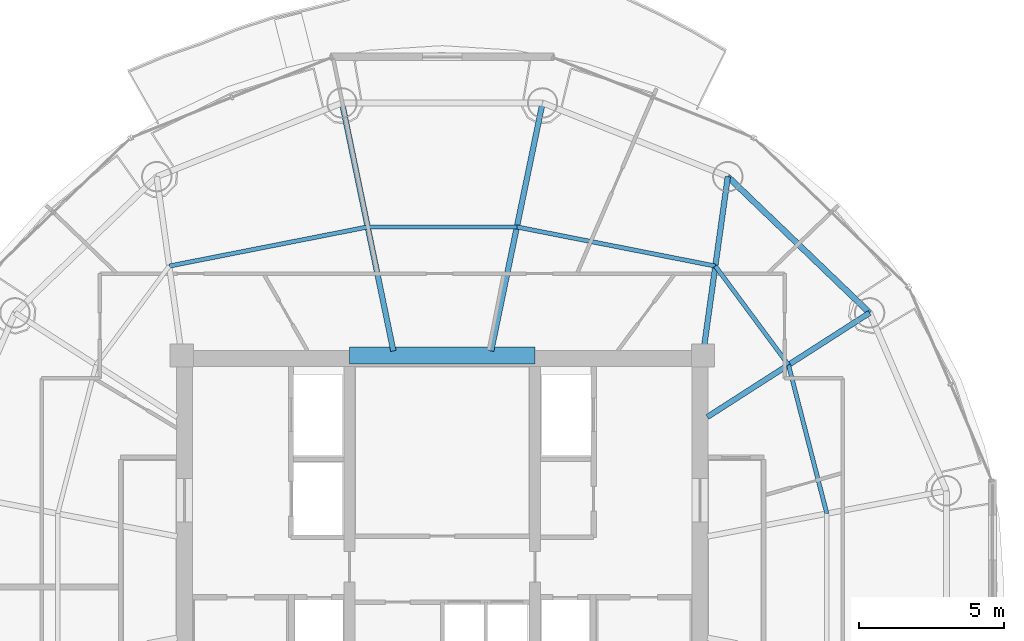
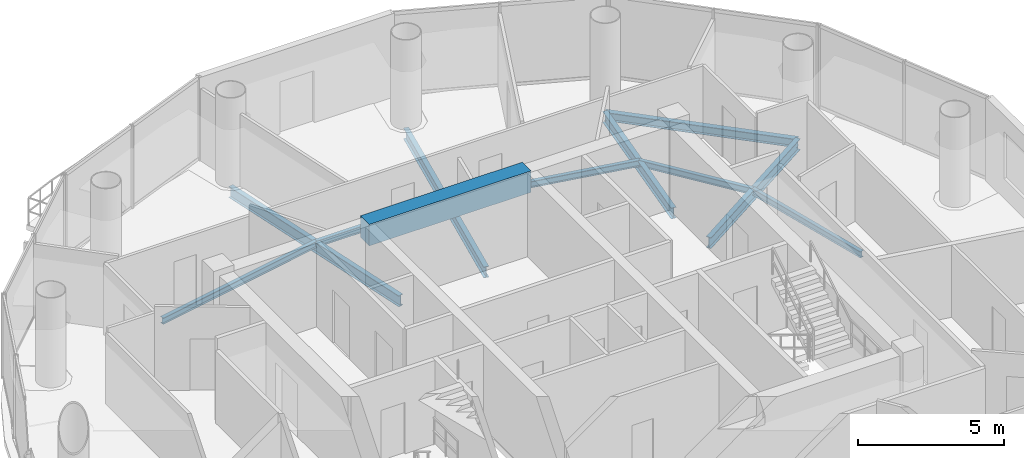
# One storey, part 9 of 23: 11 beams.
"""IFC4 building model written with IfcOpenShell, lengths in metres."""

import ifcopenshell
import ifcopenshell.guid

model = None  # the IFC model being written
_history = None  # IfcOwnerHistory: only IFC2X3 demands one
_inside = {}  # id of a spatial element -> (the spatial element, [elements in it])
_under = {}  # id of a project, library or spatial element -> (it, [spatial elements below it])
_declared = {}  # id of a project -> (the project, [libraries it declares])
_typed = {}  # id of a type object -> (the type object, [elements of that type])
_made_of = {}  # id of a material, layer set ... -> (it, [elements and type objects made of it])


def new_model(schema):
    """Start an empty IFC model of exactly this schema.

    Asked for "IFC4X3", IfcOpenShell would pick the latest addendum, in which some entities
    have other attributes; the version numbers below select the first issue.
    IFC2X3 requires an IfcOwnerHistory on every rooted entity: one is made here for all.
    """
    global model, _history
    if schema == "IFC4X3":
        model = ifcopenshell.file(schema_version=(4, 3, 0, 0))
    else:
        model = ifcopenshell.file(schema=schema)
    _inside.clear()
    _under.clear()
    _declared.clear()
    _typed.clear()
    _made_of.clear()
    _history = None
    if model.schema == "IFC2X3":
        org = make("IfcOrganization", Name="unknown")
        user = make(
            "IfcPersonAndOrganization",
            ThePerson=make("IfcPerson", FamilyName="unknown"),
            TheOrganization=org,
        )
        app = make(
            "IfcApplication",
            ApplicationDeveloper=org,
            Version="unknown",
            ApplicationFullName="unknown",
            ApplicationIdentifier="unknown",
        )
        _history = make(
            "IfcOwnerHistory",
            OwningUser=user,
            OwningApplication=app,
            ChangeAction="ADDED",
            CreationDate=0,
        )
    return model


def make(cls, **values):
    """One entity of the class cls with the attributes given. An attribute that is None is left unset."""
    return model.create_entity(
        cls, **{name: value for name, value in values.items() if value is not None}
    )


def rooted(cls, **values):
    """An entity with a GlobalId (a new one), such as an element, a storey or a relation."""
    return make(cls, GlobalId=ifcopenshell.guid.new(), OwnerHistory=_history, **values)


def si_unit(unit_type, name, prefix=None):
    """IfcSIUnit, for example si_unit("LENGTHUNIT", "METRE", prefix="MILLI")."""
    return make("IfcSIUnit", UnitType=unit_type, Prefix=prefix, Name=name)


def assignment(units):
    """IfcUnitAssignment: the units of a project."""
    return None if units is None else make("IfcUnitAssignment", Units=units)


def point(xyz):
    """IfcCartesianPoint."""
    return None if xyz is None else make("IfcCartesianPoint", Coordinates=xyz)


def direction(xyz):
    """IfcDirection."""
    return None if xyz is None else make("IfcDirection", DirectionRatios=xyz)


def frame(location, z_axis=None, x_axis=None):
    """IfcAxis2Placement3D, a coordinate frame: its origin and axes. An axis left out is left unset."""
    return make(
        "IfcAxis2Placement3D",
        Location=point(location),
        Axis=direction(z_axis),
        RefDirection=direction(x_axis),
    )


def frame_2d(location, x_axis=None):
    """IfcAxis2Placement2D, a coordinate frame in the plane: its origin and x axis."""
    return make(
        "IfcAxis2Placement2D", Location=point(location), RefDirection=direction(x_axis)
    )


def origin():
    """The frame at (0, 0, 0) with its axes left unset."""
    return frame((0.0, 0.0, 0.0))


def origin_2d():
    """The frame at (0, 0) in the plane with its x axis left unset."""
    return frame_2d((0.0, 0.0))


def place(relative_to, where):
    """IfcLocalPlacement: puts the frame where relative to a parent placement (None: the world)."""
    return make(
        "IfcLocalPlacement", PlacementRelTo=relative_to, RelativePlacement=where
    )


def context(
    kind, dimensions, precision=None, world=None, true_north=None, identifier=None
):
    """IfcGeometricRepresentationContext, for example the 3D "Model" context."""
    return make(
        "IfcGeometricRepresentationContext",
        ContextIdentifier=identifier,
        ContextType=kind,
        CoordinateSpaceDimension=dimensions,
        Precision=precision,
        WorldCoordinateSystem=world,
        TrueNorth=true_north,
    )


def subcontext(parent, identifier, kind, view, scale=None):
    """IfcGeometricRepresentationSubContext, for example "Body" below "Model"."""
    return make(
        "IfcGeometricRepresentationSubContext",
        ContextIdentifier=identifier,
        ContextType=kind,
        ParentContext=parent,
        TargetScale=scale,
        TargetView=view,
    )


def project(units=None, contexts=None):
    """IfcProject with its units and contexts."""
    return rooted(
        "IfcProject",
        Name="project",
        RepresentationContexts=contexts,
        UnitsInContext=assignment(units),
    )


def spatial(cls, under=None, at=None, **own):
    """A site, building, storey or space (cls), placed at a placement, below another one or the project."""
    s = rooted(cls, ObjectPlacement=at, **own)
    if under is not None:
        _under.setdefault(under.id(), (under, []))[1].append(s)
    return s


def profile(cls, at=None, kind="AREA", **sizes):
    """A parametric profile (cls). Its sizes go by their IFC names, for example OverallWidth=200.0."""
    return make(cls, ProfileType=kind, Position=at, **sizes)


def rectangle(**sizes):
    """IfcRectangleProfileDef."""
    return profile("IfcRectangleProfileDef", **sizes)


def i_section(**sizes):
    """IfcIShapeProfileDef."""
    return profile("IfcIShapeProfileDef", **sizes)


def extrude(swept, where, along, depth):
    """IfcExtrudedAreaSolid: the profile swept, set in the frame where, extruded along a direction by depth."""
    return make(
        "IfcExtrudedAreaSolid",
        SweptArea=swept,
        Position=where,
        ExtrudedDirection=direction(along),
        Depth=depth,
    )


def shape(context_of_items, identifier, shape_type, items):
    """IfcShapeRepresentation: the items that make up one representation, for example the "Body"."""
    return make(
        "IfcShapeRepresentation",
        ContextOfItems=context_of_items,
        RepresentationIdentifier=identifier,
        RepresentationType=shape_type,
        Items=items,
    )


def material(Name=None, Category=None):
    """IfcMaterial."""
    return make("IfcMaterial", Name=Name, Category=Category)


def material_profile(
    of_material, cross_section, Name=None, Category=None, Priority=None
):
    """IfcMaterialProfile: a cross section and its material."""
    return make(
        "IfcMaterialProfile",
        Name=Name,
        Material=of_material,
        Profile=cross_section,
        Priority=Priority,
        Category=Category,
    )


def profile_set(profiles, Name=None, composite=None):
    """IfcMaterialProfileSet."""
    return make(
        "IfcMaterialProfileSet",
        Name=Name,
        MaterialProfiles=profiles,
        CompositeProfile=composite,
    )


def made_of(thing, what):
    """Note that an element or type object is made of a material, layer set ...; save() writes the relation."""
    if what is not None:
        _made_of.setdefault(what.id(), (what, []))[1].append(thing)
    return thing


def type_object(cls, material=None, **own):
    """A type object (cls), such as IfcWallType, which elements share."""
    return made_of(rooted(cls, **own), material)


def element(
    cls,
    number,
    at=None,
    inside=None,
    cuts=None,
    type_object=None,
    material=None,
    context=None,
    identifier="Body",
    shape_type=None,
    held_by="IfcProductDefinitionShape",
    body=None,
    shapes=None,
    **own,
):
    """One element of the class cls, such as IfcWall. Its Tag is "e" and its number.

    at: its placement. inside: the storey or other place that contains it. cuts: it is an
    opening in that element (IfcRelVoidsElement). A single representation is given by context,
    identifier, shape_type and body (its items); several are given by shapes. held_by: the class
    of the entity that holds the representations. save() writes the other relations.
    """
    e = rooted(cls, Tag="e%d" % number, ObjectPlacement=at, **own)
    if body is not None:
        shapes = [shape(context, identifier, shape_type, body)]
    if shapes is not None:
        e.Representation = make(held_by, Representations=shapes)
    if inside is not None:
        _inside.setdefault(inside.id(), (inside, []))[1].append(e)
    if cuts is not None:
        rooted(
            "IfcRelVoidsElement", RelatingBuildingElement=cuts, RelatedOpeningElement=e
        )
    if type_object is not None:
        _typed.setdefault(type_object.id(), (type_object, []))[1].append(e)
    return made_of(e, material)


def aggregate(whole, parts):
    """IfcRelAggregates: a whole, such as a stair, and the parts it consists of."""
    return rooted("IfcRelAggregates", RelatingObject=whole, RelatedObjects=parts)


def save(model, path):
    """Write the relations noted so far, then the file.

    IfcRelAggregates (storeys below a building ...), IfcRelContainedInSpatialStructure (elements
    in a storey), IfcRelDefinesByType, IfcRelAssociatesMaterial and IfcRelDeclares: one each for
    every whole, place, type object, material and project.
    """
    for whole, parts in _under.values():
        aggregate(whole, parts)
    for where, things in _inside.values():
        rooted(
            "IfcRelContainedInSpatialStructure",
            RelatedElements=things,
            RelatingStructure=where,
        )
    for kind, things in _typed.values():
        rooted("IfcRelDefinesByType", RelatedObjects=things, RelatingType=kind)
    for what, things in _made_of.values():
        rooted("IfcRelAssociatesMaterial", RelatedObjects=things, RelatingMaterial=what)
    for by, libraries in _declared.values():
        rooted("IfcRelDeclares", RelatingContext=by, RelatedDefinitions=libraries)
    model.write(path)


model = new_model("IFC4")

# Units and contexts
model_context = context("Model", 3, precision=1e-05, world=origin(), true_north=direction((-0.2419218956, 0.970295726276)))
body_context = subcontext(model_context, "Body", "Model", "MODEL_VIEW")
ifc_project = project(units=[si_unit("LENGTHUNIT", "METRE"), si_unit("AREAUNIT", "SQUARE_METRE"), si_unit("VOLUMEUNIT", "CUBIC_METRE"), si_unit("PLANEANGLEUNIT", "RADIAN"), si_unit("MASSUNIT", "GRAM", prefix="KILO")], contexts=[model_context])

# Site, building, storey
site_placement = place(None, origin())
site = spatial("IfcSite", under=ifc_project, at=site_placement, CompositionType="ELEMENT")
building_placement = place(site_placement, origin())
building = spatial("IfcBuilding", under=site, at=building_placement, Name="Cobrevalo Terracotta Tower", CompositionType="ELEMENT")
storey_placement = place(building_placement, frame((0.0, 0.0, 266.949951171875)))
storey = spatial("IfcBuildingStorey", under=building, at=storey_placement, Name="L70", CompositionType="ELEMENT", Elevation=266.949951171875)

# Beams
ifc_material_1 = material(Name="Concrete C60", Category="concrete")
ifc_material_profile_1 = material_profile(ifc_material_1, rectangle(XDim=0.60009765625, YDim=0.89990234375, at=origin_2d()), Name="RC CB 600x900")
ifc_profile_set_1 = profile_set([ifc_material_profile_1], Name="Concrete C60")
beam_type_1 = type_object("IfcBeamType", Name="Structural Beam RC CB 600x900 (Concrete C60)", PredefinedType="BEAM", material=ifc_profile_set_1)
beam_1_placement = place(storey_placement, frame((34.800048828125, 34.800048828125, 3.0400390625), z_axis=(1.0, 0.0, 0.0), x_axis=(0.0, 1.0, 0.0)))
element("IfcBeam", 1, at=beam_1_placement, inside=storey, type_object=beam_type_1, Name="L70 core coupling beam 2", PredefinedType="BEAM", context=body_context, shape_type="SweptSolid", body=[
    extrude(rectangle(XDim=0.60009765625, YDim=0.89990234375, at=origin_2d()), origin(), (0.0, 0.0, 1.0), 6.39990234375),
])
ifc_material_2 = material(Name="Steel S355", Category="steel")
ifc_material_profile_2 = material_profile(ifc_material_2, i_section(OverallWidth=0.19091796875, OverallDepth=0.4599609375, WebThickness=0.010009765625, FlangeThickness=0.01611328125, at=origin_2d()), Name="W 460x82")
ifc_profile_set_2 = profile_set([ifc_material_profile_2], Name="Steel S355")
beam_type_2 = type_object("IfcBeamType", Name="Structural Beam W 460x82 (Steel S355)", PredefinedType="BEAM", material=ifc_profile_set_2)
beam_2_placement = place(storey_placement, frame((52.758544921875, 36.2724609375, -0.489990234375), z_axis=(-0.84157615512, -0.540138477739, 0.0), x_axis=(0.540138477739, -0.84157615512, 0.0)))
element("IfcBeam", 2, at=beam_2_placement, inside=storey, type_object=beam_type_2, Name="L70 radial floor girder 02", PredefinedType="BEAM", context=body_context, shape_type="SweptSolid", body=[
    extrude(i_section(OverallWidth=0.19091796875, OverallDepth=0.4599609375, WebThickness=0.010009765625, FlangeThickness=0.01611328125, at=origin_2d()), origin(), (0.0, 0.0, 1.0), 6.658447265625),
])
beam_3_placement = place(storey_placement, frame((47.861328125, 40.9765625, -0.489990234375), z_axis=(-0.138115657759, -0.990416107039, 0.0), x_axis=(0.990416107039, -0.138115657759, 0.0)))
element("IfcBeam", 3, at=beam_3_placement, inside=storey, type_object=beam_type_2, Name="L70 radial floor girder 03", PredefinedType="BEAM", context=body_context, shape_type="SweptSolid", body=[
    extrude(i_section(OverallWidth=0.19091796875, OverallDepth=0.4599609375, WebThickness=0.010009765625, FlangeThickness=0.01611328125, at=origin_2d()), origin(), (0.0, 0.0, 1.0), 6.236328125),
])
for number, where, z_axis, x_axis, name in (
    (4, (41.462890625, 43.5224609375, -0.489990234375), (-0.202781841237, -0.9792239401, 0.0), (0.9792239401, -0.202781841237, 0.0), "L70 radial floor girder 04"),
    (5, (34.537109375, 43.5224609375, -0.489990234375), (0.202781841237, -0.9792239401, 0.0), (0.9792239401, 0.202781841237, 0.0), "L70 radial floor girder 05"),
):
    element("IfcBeam", number, at=place(storey_placement, frame(where, z_axis=z_axis, x_axis=x_axis)), inside=storey, type_object=beam_type_2, Name=name, PredefinedType="BEAM", context=body_context, shape_type="SweptSolid", body=[
        extrude(i_section(OverallWidth=0.19091796875, OverallDepth=0.4599609375, WebThickness=0.010009765625, FlangeThickness=0.01611328125, at=origin_2d()), origin(), (0.0, 0.0, 1.0), 8.749267578125),
    ])
ifc_material_profile_3 = material_profile(ifc_material_2, i_section(OverallWidth=0.14794921875, OverallDepth=0.26611328125, WebThickness=0.007568359375, FlangeThickness=0.012939453125, at=origin_2d()), Name="W 250x44.8")
ifc_profile_set_3 = profile_set([ifc_material_profile_3], Name="Steel S355")
beam_type_3 = type_object("IfcBeamType", Name="Structural Joist W 250x44.8 (Steel S355)", PredefinedType="JOIST", material=ifc_profile_set_3)
beam_4_placement = place(storey_placement, frame((51.281982421875, 29.337646484375, -0.39306640625), z_axis=(-0.249816773293, 0.968293126993, 0.0), x_axis=(-0.968293126993, -0.249816773293, 0.0)))
element("IfcBeam", 6, at=beam_4_placement, inside=storey, type_object=beam_type_3, Name="L70 circumferential secondary floor joist 01", PredefinedType="JOIST", context=body_context, shape_type="SweptSolid", body=[
    extrude(i_section(OverallWidth=0.14794921875, OverallDepth=0.26611328125, WebThickness=0.007568359375, FlangeThickness=0.012939453125, at=origin_2d()), origin(), (0.0, 0.0, 1.0), 5.3046875),
])
beam_5_placement = place(storey_placement, frame((49.956787109375, 34.47412109375, -0.39306640625), z_axis=(-0.594799916617, 0.803873783123, 0.0), x_axis=(-0.803873783123, -0.594799916617, 0.0)))
element("IfcBeam", 7, at=beam_5_placement, inside=storey, type_object=beam_type_3, Name="L70 circumferential secondary floor joist 02", PredefinedType="JOIST", context=body_context, shape_type="SweptSolid", body=[
    extrude(i_section(OverallWidth=0.14794921875, OverallDepth=0.26611328125, WebThickness=0.007568359375, FlangeThickness=0.012939453125, at=origin_2d()), origin(), (0.0, 0.0, 1.0), 4.2470703125),
])
beam_6_placement = place(storey_placement, frame((47.4306640625, 37.88818359375, -0.39306640625), z_axis=(-0.98113843359, 0.19330642548, 0.0), x_axis=(-0.19330642548, -0.98113843359, 0.0)))
element("IfcBeam", 8, at=beam_6_placement, inside=storey, type_object=beam_type_3, Name="L70 circumferential secondary floor joist 03", PredefinedType="JOIST", context=body_context, shape_type="SweptSolid", body=[
    extrude(i_section(OverallWidth=0.14794921875, OverallDepth=0.26611328125, WebThickness=0.007568359375, FlangeThickness=0.012939453125, at=origin_2d()), origin(), (0.0, 0.0, 1.0), 6.98681640625),
])
beam_7_placement = place(storey_placement, frame((40.57568359375, 39.23876953125, -0.39306640625), z_axis=(-1.0, 0.0, 0.0), x_axis=(0.0, -1.0, 0.0)))
element("IfcBeam", 9, at=beam_7_placement, inside=storey, type_object=beam_type_3, Name="L70 circumferential secondary floor joist 04", PredefinedType="JOIST", context=body_context, shape_type="SweptSolid", body=[
    extrude(i_section(OverallWidth=0.14794921875, OverallDepth=0.26611328125, WebThickness=0.007568359375, FlangeThickness=0.012939453125, at=origin_2d()), origin(), (0.0, 0.0, 1.0), 5.1513671875),
])
beam_8_placement = place(storey_placement, frame((35.42431640625, 39.23876953125, -0.39306640625), z_axis=(-0.98113843359, -0.19330642548, 0.0), x_axis=(0.19330642548, -0.98113843359, 0.0)))
element("IfcBeam", 10, at=beam_8_placement, inside=storey, type_object=beam_type_3, Name="L70 circumferential secondary floor joist 05", PredefinedType="JOIST", context=body_context, shape_type="SweptSolid", body=[
    extrude(i_section(OverallWidth=0.14794921875, OverallDepth=0.26611328125, WebThickness=0.007568359375, FlangeThickness=0.012939453125, at=origin_2d()), origin(), (0.0, 0.0, 1.0), 6.98681640625),
])
ifc_material_profile_4 = material_profile(ifc_material_2, i_section(OverallWidth=0.205078125, OverallDepth=0.35400390625, WebThickness=0.009521484375, FlangeThickness=0.016845703125, at=origin_2d()), Name="W 360x79")
ifc_profile_set_4 = profile_set([ifc_material_profile_4], Name="Steel S355")
beam_type_4 = type_object("IfcBeamType", Name="Structural Spandrel W 360x79 (Steel S355)", PredefinedType="SPANDREL", material=ifc_profile_set_4)
beam_9_placement = place(storey_placement, frame((52.758544921875, 36.2724609375, -0.43701171875), z_axis=(-0.721183246144, 0.692744343522, 0.0), x_axis=(-0.692744343522, -0.721183246144, 0.0)))
element("IfcBeam", 11, at=beam_9_placement, inside=storey, type_object=beam_type_4, Name="L70 perimeter ring spandrel 02", PredefinedType="SPANDREL", context=body_context, shape_type="SweptSolid", body=[
    extrude(i_section(OverallWidth=0.205078125, OverallDepth=0.35400390625, WebThickness=0.009521484375, FlangeThickness=0.016845703125, at=origin_2d()), origin(), (0.0, 0.0, 1.0), 6.79052734375),
])

save(model, "model.ifc")
